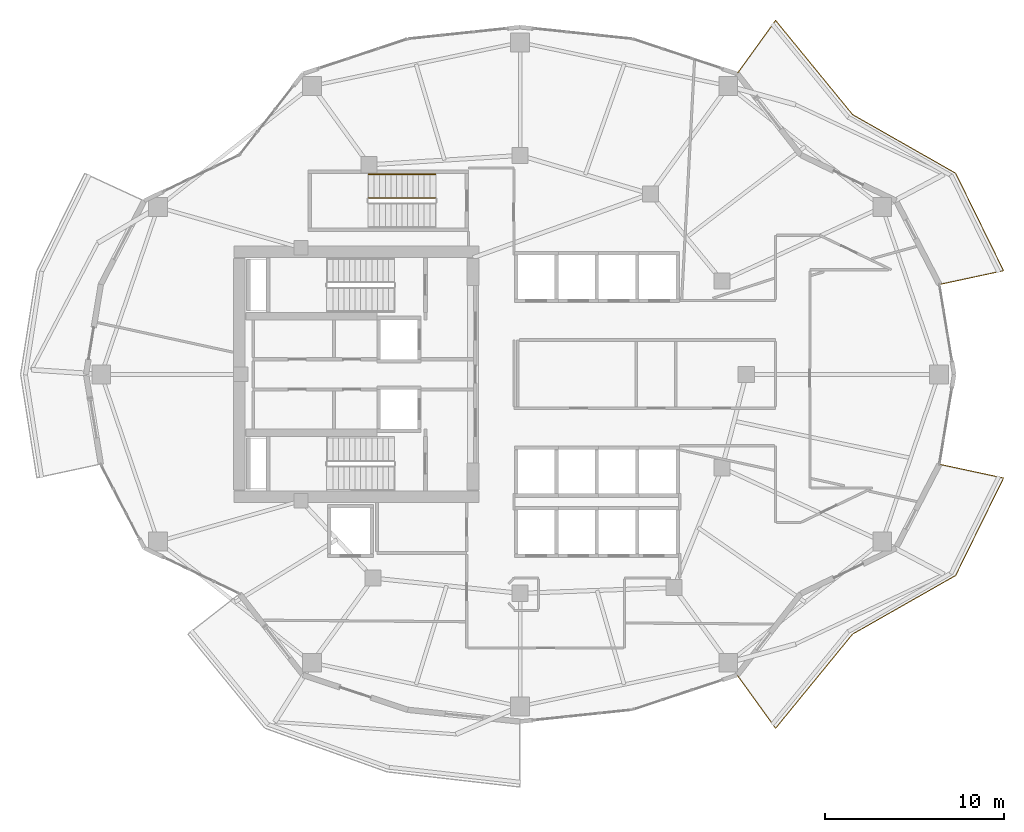
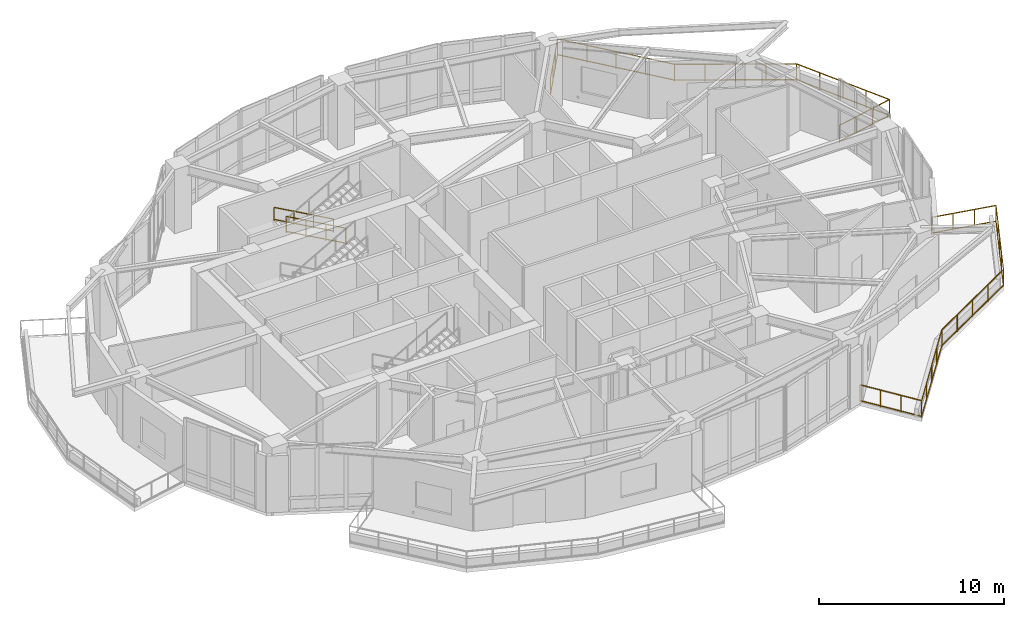
# One storey, part 15 of 16: 4 railings.
"""IFC4 building model written with IfcOpenShell, lengths in metres."""

import ifcopenshell
import ifcopenshell.guid

model = None  # the IFC model being written
_history = None  # IfcOwnerHistory: only IFC2X3 demands one
_inside = {}  # id of a spatial element -> (the spatial element, [elements in it])
_under = {}  # id of a project, library or spatial element -> (it, [spatial elements below it])
_declared = {}  # id of a project -> (the project, [libraries it declares])
_typed = {}  # id of a type object -> (the type object, [elements of that type])
_made_of = {}  # id of a material, layer set ... -> (it, [elements and type objects made of it])


def new_model(schema):
    """Start an empty IFC model of exactly this schema.

    Asked for "IFC4X3", IfcOpenShell would pick the latest addendum, in which some entities
    have other attributes; the version numbers below select the first issue.
    IFC2X3 requires an IfcOwnerHistory on every rooted entity: one is made here for all.
    """
    global model, _history
    if schema == "IFC4X3":
        model = ifcopenshell.file(schema_version=(4, 3, 0, 0))
    else:
        model = ifcopenshell.file(schema=schema)
    _inside.clear()
    _under.clear()
    _declared.clear()
    _typed.clear()
    _made_of.clear()
    _history = None
    if model.schema == "IFC2X3":
        org = make("IfcOrganization", Name="unknown")
        user = make(
            "IfcPersonAndOrganization",
            ThePerson=make("IfcPerson", FamilyName="unknown"),
            TheOrganization=org,
        )
        app = make(
            "IfcApplication",
            ApplicationDeveloper=org,
            Version="unknown",
            ApplicationFullName="unknown",
            ApplicationIdentifier="unknown",
        )
        _history = make(
            "IfcOwnerHistory",
            OwningUser=user,
            OwningApplication=app,
            ChangeAction="ADDED",
            CreationDate=0,
        )
    return model


def make(cls, **values):
    """One entity of the class cls with the attributes given. An attribute that is None is left unset."""
    return model.create_entity(
        cls, **{name: value for name, value in values.items() if value is not None}
    )


def rooted(cls, **values):
    """An entity with a GlobalId (a new one), such as an element, a storey or a relation."""
    return make(cls, GlobalId=ifcopenshell.guid.new(), OwnerHistory=_history, **values)


def si_unit(unit_type, name, prefix=None):
    """IfcSIUnit, for example si_unit("LENGTHUNIT", "METRE", prefix="MILLI")."""
    return make("IfcSIUnit", UnitType=unit_type, Prefix=prefix, Name=name)


def assignment(units):
    """IfcUnitAssignment: the units of a project."""
    return None if units is None else make("IfcUnitAssignment", Units=units)


def point(xyz):
    """IfcCartesianPoint."""
    return None if xyz is None else make("IfcCartesianPoint", Coordinates=xyz)


def direction(xyz):
    """IfcDirection."""
    return None if xyz is None else make("IfcDirection", DirectionRatios=xyz)


def frame(location, z_axis=None, x_axis=None):
    """IfcAxis2Placement3D, a coordinate frame: its origin and axes. An axis left out is left unset."""
    return make(
        "IfcAxis2Placement3D",
        Location=point(location),
        Axis=direction(z_axis),
        RefDirection=direction(x_axis),
    )


def frame_2d(location, x_axis=None):
    """IfcAxis2Placement2D, a coordinate frame in the plane: its origin and x axis."""
    return make(
        "IfcAxis2Placement2D", Location=point(location), RefDirection=direction(x_axis)
    )


def origin():
    """The frame at (0, 0, 0) with its axes left unset."""
    return frame((0.0, 0.0, 0.0))


def origin_2d():
    """The frame at (0, 0) in the plane with its x axis left unset."""
    return frame_2d((0.0, 0.0))


def place(relative_to, where):
    """IfcLocalPlacement: puts the frame where relative to a parent placement (None: the world)."""
    return make(
        "IfcLocalPlacement", PlacementRelTo=relative_to, RelativePlacement=where
    )


def context(
    kind, dimensions, precision=None, world=None, true_north=None, identifier=None
):
    """IfcGeometricRepresentationContext, for example the 3D "Model" context."""
    return make(
        "IfcGeometricRepresentationContext",
        ContextIdentifier=identifier,
        ContextType=kind,
        CoordinateSpaceDimension=dimensions,
        Precision=precision,
        WorldCoordinateSystem=world,
        TrueNorth=true_north,
    )


def subcontext(parent, identifier, kind, view, scale=None):
    """IfcGeometricRepresentationSubContext, for example "Body" below "Model"."""
    return make(
        "IfcGeometricRepresentationSubContext",
        ContextIdentifier=identifier,
        ContextType=kind,
        ParentContext=parent,
        TargetScale=scale,
        TargetView=view,
    )


def project(units=None, contexts=None):
    """IfcProject with its units and contexts."""
    return rooted(
        "IfcProject",
        Name="project",
        RepresentationContexts=contexts,
        UnitsInContext=assignment(units),
    )


def spatial(cls, under=None, at=None, **own):
    """A site, building, storey or space (cls), placed at a placement, below another one or the project."""
    s = rooted(cls, ObjectPlacement=at, **own)
    if under is not None:
        _under.setdefault(under.id(), (under, []))[1].append(s)
    return s


def profile(cls, at=None, kind="AREA", **sizes):
    """A parametric profile (cls). Its sizes go by their IFC names, for example OverallWidth=200.0."""
    return make(cls, ProfileType=kind, Position=at, **sizes)


def rectangle(**sizes):
    """IfcRectangleProfileDef."""
    return profile("IfcRectangleProfileDef", **sizes)


def extrude(swept, where, along, depth):
    """IfcExtrudedAreaSolid: the profile swept, set in the frame where, extruded along a direction by depth."""
    return make(
        "IfcExtrudedAreaSolid",
        SweptArea=swept,
        Position=where,
        ExtrudedDirection=direction(along),
        Depth=depth,
    )


def shape(context_of_items, identifier, shape_type, items):
    """IfcShapeRepresentation: the items that make up one representation, for example the "Body"."""
    return make(
        "IfcShapeRepresentation",
        ContextOfItems=context_of_items,
        RepresentationIdentifier=identifier,
        RepresentationType=shape_type,
        Items=items,
    )


def material(Name=None, Category=None):
    """IfcMaterial."""
    return make("IfcMaterial", Name=Name, Category=Category)


def made_of(thing, what):
    """Note that an element or type object is made of a material, layer set ...; save() writes the relation."""
    if what is not None:
        _made_of.setdefault(what.id(), (what, []))[1].append(thing)
    return thing


def type_object(cls, material=None, **own):
    """A type object (cls), such as IfcWallType, which elements share."""
    return made_of(rooted(cls, **own), material)


def element(
    cls,
    number,
    at=None,
    inside=None,
    cuts=None,
    type_object=None,
    material=None,
    context=None,
    identifier="Body",
    shape_type=None,
    held_by="IfcProductDefinitionShape",
    body=None,
    shapes=None,
    **own,
):
    """One element of the class cls, such as IfcWall. Its Tag is "e" and its number.

    at: its placement. inside: the storey or other place that contains it. cuts: it is an
    opening in that element (IfcRelVoidsElement). A single representation is given by context,
    identifier, shape_type and body (its items); several are given by shapes. held_by: the class
    of the entity that holds the representations. save() writes the other relations.
    """
    e = rooted(cls, Tag="e%d" % number, ObjectPlacement=at, **own)
    if body is not None:
        shapes = [shape(context, identifier, shape_type, body)]
    if shapes is not None:
        e.Representation = make(held_by, Representations=shapes)
    if inside is not None:
        _inside.setdefault(inside.id(), (inside, []))[1].append(e)
    if cuts is not None:
        rooted(
            "IfcRelVoidsElement", RelatingBuildingElement=cuts, RelatedOpeningElement=e
        )
    if type_object is not None:
        _typed.setdefault(type_object.id(), (type_object, []))[1].append(e)
    return made_of(e, material)


def aggregate(whole, parts):
    """IfcRelAggregates: a whole, such as a stair, and the parts it consists of."""
    return rooted("IfcRelAggregates", RelatingObject=whole, RelatedObjects=parts)


def save(model, path):
    """Write the relations noted so far, then the file.

    IfcRelAggregates (storeys below a building ...), IfcRelContainedInSpatialStructure (elements
    in a storey), IfcRelDefinesByType, IfcRelAssociatesMaterial and IfcRelDeclares: one each for
    every whole, place, type object, material and project.
    """
    for whole, parts in _under.values():
        aggregate(whole, parts)
    for where, things in _inside.values():
        rooted(
            "IfcRelContainedInSpatialStructure",
            RelatedElements=things,
            RelatingStructure=where,
        )
    for kind, things in _typed.values():
        rooted("IfcRelDefinesByType", RelatedObjects=things, RelatingType=kind)
    for what, things in _made_of.values():
        rooted("IfcRelAssociatesMaterial", RelatedObjects=things, RelatingMaterial=what)
    for by, libraries in _declared.values():
        rooted("IfcRelDeclares", RelatingContext=by, RelatedDefinitions=libraries)
    model.write(path)


model = new_model("IFC4")

# Units and contexts
model_context = context("Model", 3, precision=1e-05, world=origin(), true_north=direction((0.0, 1.0)))
body_context = subcontext(model_context, "Body", "Model", "MODEL_VIEW")
ifc_project = project(units=[si_unit("LENGTHUNIT", "METRE"), si_unit("AREAUNIT", "SQUARE_METRE"), si_unit("VOLUMEUNIT", "CUBIC_METRE"), si_unit("PLANEANGLEUNIT", "RADIAN"), si_unit("MASSUNIT", "GRAM", prefix="KILO")], contexts=[model_context])

# Site, building, storey
site_placement = place(None, origin())
site = spatial("IfcSite", under=ifc_project, at=site_placement, CompositionType="ELEMENT")
building_placement = place(site_placement, origin())
building = spatial("IfcBuilding", under=site, at=building_placement, Name="Kolvaren Gate Tower and Convention Centre", CompositionType="ELEMENT")
storey_placement = place(building_placement, frame((0.0, 0.0, 100.800048828125)))
storey = spatial("IfcBuildingStorey", under=building, at=storey_placement, Name="L24", CompositionType="ELEMENT", Elevation=100.800048828125)

# Railings
ifc_material = material(Name="Brushed Stainless Steel Grade 316L", Category="steel")
railing_type_1 = type_object("IfcRailingType", Name="ARCH-RL-GUARD-1150", PredefinedType="GUARDRAIL", material=ifc_material)
railing_1_placement = place(storey_placement, frame((25.39990234375, 36.830078125, 0.173095703125)))
element("IfcRailing", 1, at=railing_1_placement, inside=storey, type_object=railing_type_1, Name="L24 ST-T3 stair guard 1", PredefinedType="GUARDRAIL", context=body_context, shape_type="SweptSolid", body=[
    extrude(rectangle(XDim=0.048095703125, YDim=0.048095703125, at=origin_2d()), frame((0.0, 0.0, 1.076171875), z_axis=(-0.873133609054, 0.0, 0.487480974747), x_axis=(0.0, -1.0, 0.0)), (0.0, 0.0, 1.0), 4.260498046875),
    extrude(rectangle(XDim=0.048095703125, YDim=0.048095703125, at=origin_2d()), frame((0.0, 0.0, 0.083984375), z_axis=(-0.873133609054, 0.0, 0.487480974747), x_axis=(0.0, -1.0, 0.0)), (0.0, 0.0, 1.0), 4.260498046875),
    extrude(rectangle(XDim=0.0419921875, YDim=0.0419921875, at=origin_2d()), origin(), (0.0, 0.0, 1.0), 1.050048828125),
    extrude(rectangle(XDim=0.0419921875, YDim=0.0419921875, at=origin_2d()), frame((-3.719970703125, 0.0, 2.076904296875)), (0.0, 0.0, 1.0), 1.050048828125),
    extrude(rectangle(XDim=0.0419921875, YDim=0.0419921875, at=origin_2d()), frame((-1.239990234375, 0.0, 0.6923828125)), (0.0, 0.0, 1.0), 1.050048828125),
    extrude(rectangle(XDim=0.0419921875, YDim=0.0419921875, at=origin_2d()), frame((-2.47998046875, 0.0, 1.384521484375)), (0.0, 0.0, 1.0), 1.050048828125),
])
railing_2_placement = place(storey_placement, frame((53.48828125, 32.008056640625, 0.0)))
element("IfcRailing", 2, at=railing_2_placement, inside=storey, type_object=railing_type_1, Name="Tower L24 Terrace Perimeter Guardrail GR-1", PredefinedType="GUARDRAIL", context=body_context, shape_type="SweptSolid", body=[
    extrude(rectangle(XDim=0.048095703125, YDim=0.048095703125, at=origin_2d()), frame((0.02734375, 0.005859375, 1.1259765625), z_axis=(0.977788745232, 0.209592866525, 0.0), x_axis=(-0.209592866525, 0.977788745232, 0.0)), (0.0, 0.0, 1.0), 3.603759765625),
    extrude(rectangle(XDim=0.048095703125, YDim=0.048095703125, at=origin_2d()), frame((0.02734375, 0.005859375, 0.083984375), z_axis=(0.977788745232, 0.209592866525, 0.0), x_axis=(-0.209592866525, 0.977788745232, 0.0)), (0.0, 0.0, 1.0), 3.603759765625),
    extrude(rectangle(XDim=0.048095703125, YDim=0.048095703125, at=origin_2d()), frame((3.566162109375, 0.792236328125, 1.1259765625), z_axis=(-0.441237167293, 0.897390529368, 0.0), x_axis=(-0.897390529368, -0.441237167293, 0.0)), (0.0, 0.0, 1.0), 5.999755859375),
    extrude(rectangle(XDim=0.048095703125, YDim=0.048095703125, at=origin_2d()), frame((3.566162109375, 0.792236328125, 0.083984375), z_axis=(-0.441237167293, 0.897390529368, 0.0), x_axis=(-0.897390529368, -0.441237167293, 0.0)), (0.0, 0.0, 1.0), 5.999755859375),
    extrude(rectangle(XDim=0.048095703125, YDim=0.048095703125, at=origin_2d()), frame((0.882080078125, 6.215576171875, 1.1259765625), z_axis=(-0.869196694318, 0.494466486819, 0.0), x_axis=(-0.494466486819, -0.869196694318, 0.0)), (0.0, 0.0, 1.0), 6.55029296875),
    extrude(rectangle(XDim=0.048095703125, YDim=0.048095703125, at=origin_2d()), frame((0.882080078125, 6.215576171875, 0.083984375), z_axis=(-0.869196694318, 0.494466486819, 0.0), x_axis=(-0.494466486819, -0.869196694318, 0.0)), (0.0, 0.0, 1.0), 6.55029296875),
    extrude(rectangle(XDim=0.048095703125, YDim=0.048095703125, at=origin_2d()), frame((-4.853515625, 9.489990234375, 1.1259765625), z_axis=(-0.633002467947, 0.77414977593, 0.0), x_axis=(-0.77414977593, -0.633002467947, 0.0)), (0.0, 0.0, 1.0), 6.724365234375),
    extrude(rectangle(XDim=0.048095703125, YDim=0.048095703125, at=origin_2d()), frame((-4.853515625, 9.489990234375, 0.083984375), z_axis=(-0.633002467947, 0.77414977593, 0.0), x_axis=(-0.77414977593, -0.633002467947, 0.0)), (0.0, 0.0, 1.0), 6.724365234375),
    extrude(rectangle(XDim=0.048095703125, YDim=0.048095703125, at=origin_2d()), frame((-9.14404296875, 14.694580078125, 1.1259765625), z_axis=(-0.585212870465, -0.810879705161, 0.0), x_axis=(0.810879705161, -0.585212870465, 0.0)), (0.0, 0.0, 1.0), 3.603759765625),
    extrude(rectangle(XDim=0.048095703125, YDim=0.048095703125, at=origin_2d()), frame((-9.14404296875, 14.694580078125, 0.083984375), z_axis=(-0.585212870465, -0.810879705161, 0.0), x_axis=(0.810879705161, -0.585212870465, 0.0)), (0.0, 0.0, 1.0), 3.603759765625),
    extrude(rectangle(XDim=0.0419921875, YDim=0.0419921875, at=origin_2d()), origin(), (0.0, 0.0, 1.0), 1.14990234375),
    extrude(rectangle(XDim=0.0419921875, YDim=0.0419921875, at=origin_2d()), frame((3.57861328125, 0.76708984375, 0.0)), (0.0, 0.0, 1.0), 1.14990234375),
    extrude(rectangle(XDim=0.0419921875, YDim=0.0419921875, at=origin_2d()), frame((1.19287109375, 0.255615234375, 0.0)), (0.0, 0.0, 1.0), 1.099853515625),
    extrude(rectangle(XDim=0.0419921875, YDim=0.0419921875, at=origin_2d()), frame((2.3857421875, 0.511474609375, 0.0)), (0.0, 0.0, 1.0), 1.099853515625),
    extrude(rectangle(XDim=0.0419921875, YDim=0.0419921875, at=origin_2d()), frame((0.906494140625, 6.20166015625, 0.0)), (0.0, 0.0, 1.0), 1.14990234375),
    extrude(rectangle(XDim=0.0419921875, YDim=0.0419921875, at=origin_2d()), frame((2.91064453125, 2.125732421875, 0.0)), (0.0, 0.0, 1.0), 1.099853515625),
    extrude(rectangle(XDim=0.0419921875, YDim=0.0419921875, at=origin_2d()), frame((2.24267578125, 3.484375, 0.0)), (0.0, 0.0, 1.0), 1.099853515625),
    extrude(rectangle(XDim=0.0419921875, YDim=0.0419921875, at=origin_2d()), frame((1.574462890625, 4.843017578125, 0.0)), (0.0, 0.0, 1.0), 1.099853515625),
    extrude(rectangle(XDim=0.0419921875, YDim=0.0419921875, at=origin_2d()), frame((-4.835693359375, 9.46826171875, 0.0)), (0.0, 0.0, 1.0), 1.14990234375),
    extrude(rectangle(XDim=0.0419921875, YDim=0.0419921875, at=origin_2d()), frame((-0.529052734375, 7.018310546875, 0.0)), (0.0, 0.0, 1.0), 1.099853515625),
    extrude(rectangle(XDim=0.0419921875, YDim=0.0419921875, at=origin_2d()), frame((-1.964599609375, 7.8349609375, 0.0)), (0.0, 0.0, 1.0), 1.099853515625),
    extrude(rectangle(XDim=0.0419921875, YDim=0.0419921875, at=origin_2d()), frame((-3.400146484375, 8.651611328125, 0.0)), (0.0, 0.0, 1.0), 1.099853515625),
    extrude(rectangle(XDim=0.0419921875, YDim=0.0419921875, at=origin_2d()), frame((-9.127685546875, 14.71728515625, 0.0)), (0.0, 0.0, 1.0), 1.14990234375),
    extrude(rectangle(XDim=0.0419921875, YDim=0.0419921875, at=origin_2d()), frame((-5.90869140625, 10.780517578125, 0.0)), (0.0, 0.0, 1.0), 1.099853515625),
    extrude(rectangle(XDim=0.0419921875, YDim=0.0419921875, at=origin_2d()), frame((-6.981689453125, 12.0927734375, 0.0)), (0.0, 0.0, 1.0), 1.099853515625),
    extrude(rectangle(XDim=0.0419921875, YDim=0.0419921875, at=origin_2d()), frame((-8.0546875, 13.405029296875, 0.0)), (0.0, 0.0, 1.0), 1.099853515625),
    extrude(rectangle(XDim=0.0419921875, YDim=0.0419921875, at=origin_2d()), frame((-11.26953125, 11.74951171875, 0.0)), (0.0, 0.0, 1.0), 1.14990234375),
    extrude(rectangle(XDim=0.0419921875, YDim=0.0419921875, at=origin_2d()), frame((-9.841552734375, 13.72802734375, 0.0)), (0.0, 0.0, 1.0), 1.099853515625),
    extrude(rectangle(XDim=0.0419921875, YDim=0.0419921875, at=origin_2d()), frame((-10.5556640625, 12.73876953125, 0.0)), (0.0, 0.0, 1.0), 1.099853515625),
])
railing_3_placement = place(storey_placement, frame((42.21875, 10.242431640625, 0.0)))
element("IfcRailing", 3, at=railing_3_placement, inside=storey, type_object=railing_type_1, Name="Tower L24 Terrace Perimeter Guardrail GR-4", PredefinedType="GUARDRAIL", context=body_context, shape_type="SweptSolid", body=[
    extrude(rectangle(XDim=0.048095703125, YDim=0.048095703125, at=origin_2d()), frame((0.016357421875, -0.022705078125, 1.1259765625), z_axis=(0.585212870465, -0.810879705161, 0.0), x_axis=(0.810879705161, 0.585212870465, 0.0)), (0.0, 0.0, 1.0), 3.603759765625),
    extrude(rectangle(XDim=0.048095703125, YDim=0.048095703125, at=origin_2d()), frame((0.016357421875, -0.022705078125, 0.083984375), z_axis=(0.585212870465, -0.810879705161, 0.0), x_axis=(0.810879705161, 0.585212870465, 0.0)), (0.0, 0.0, 1.0), 3.603759765625),
    extrude(rectangle(XDim=0.048095703125, YDim=0.048095703125, at=origin_2d()), frame((2.15966796875, -2.946044921875, 1.1259765625), z_axis=(0.633002467947, 0.77414977593, 0.0), x_axis=(-0.77414977593, 0.633002467947, 0.0)), (0.0, 0.0, 1.0), 6.724365234375),
    extrude(rectangle(XDim=0.048095703125, YDim=0.048095703125, at=origin_2d()), frame((2.15966796875, -2.946044921875, 0.083984375), z_axis=(0.633002467947, 0.77414977593, 0.0), x_axis=(-0.77414977593, 0.633002467947, 0.0)), (0.0, 0.0, 1.0), 6.724365234375),
    extrude(rectangle(XDim=0.048095703125, YDim=0.048095703125, at=origin_2d()), frame((6.458251953125, 2.295166015625, 1.1259765625), z_axis=(0.869196694318, 0.494466486819, 0.0), x_axis=(-0.494466486819, 0.869196694318, 0.0)), (0.0, 0.0, 1.0), 6.55029296875),
    extrude(rectangle(XDim=0.048095703125, YDim=0.048095703125, at=origin_2d()), frame((6.458251953125, 2.295166015625, 0.083984375), z_axis=(0.869196694318, 0.494466486819, 0.0), x_axis=(-0.494466486819, 0.869196694318, 0.0)), (0.0, 0.0, 1.0), 6.55029296875),
    extrude(rectangle(XDim=0.048095703125, YDim=0.048095703125, at=origin_2d()), frame((12.1884765625, 5.572998046875, 1.1259765625), z_axis=(0.441237167293, 0.897390529368, 0.0), x_axis=(-0.897390529368, 0.441237167293, 0.0)), (0.0, 0.0, 1.0), 5.999755859375),
    extrude(rectangle(XDim=0.048095703125, YDim=0.048095703125, at=origin_2d()), frame((12.1884765625, 5.572998046875, 0.083984375), z_axis=(0.441237167293, 0.897390529368, 0.0), x_axis=(-0.897390529368, 0.441237167293, 0.0)), (0.0, 0.0, 1.0), 5.999755859375),
    extrude(rectangle(XDim=0.048095703125, YDim=0.048095703125, at=origin_2d()), frame((14.82080078125, 10.98828125, 1.1259765625), z_axis=(-0.977788745232, 0.209592866525, 0.0), x_axis=(-0.209592866525, -0.977788745232, 0.0)), (0.0, 0.0, 1.0), 3.603759765625),
    extrude(rectangle(XDim=0.048095703125, YDim=0.048095703125, at=origin_2d()), frame((14.82080078125, 10.98828125, 0.083984375), z_axis=(-0.977788745232, 0.209592866525, 0.0), x_axis=(-0.209592866525, -0.977788745232, 0.0)), (0.0, 0.0, 1.0), 3.603759765625),
    extrude(rectangle(XDim=0.0419921875, YDim=0.0419921875, at=origin_2d()), origin(), (0.0, 0.0, 1.0), 1.14990234375),
    extrude(rectangle(XDim=0.0419921875, YDim=0.0419921875, at=origin_2d()), frame((2.141845703125, -2.9677734375, 0.0)), (0.0, 0.0, 1.0), 1.14990234375),
    extrude(rectangle(XDim=0.0419921875, YDim=0.0419921875, at=origin_2d()), frame((0.7138671875, -0.9892578125, 0.0)), (0.0, 0.0, 1.0), 1.099853515625),
    extrude(rectangle(XDim=0.0419921875, YDim=0.0419921875, at=origin_2d()), frame((1.427978515625, -1.978515625, 0.0)), (0.0, 0.0, 1.0), 1.099853515625),
    extrude(rectangle(XDim=0.0419921875, YDim=0.0419921875, at=origin_2d()), frame((6.433837890625, 2.28125, 0.0)), (0.0, 0.0, 1.0), 1.14990234375),
    extrude(rectangle(XDim=0.0419921875, YDim=0.0419921875, at=origin_2d()), frame((3.21484375, -1.655517578125, 0.0)), (0.0, 0.0, 1.0), 1.099853515625),
    extrude(rectangle(XDim=0.0419921875, YDim=0.0419921875, at=origin_2d()), frame((4.287841796875, -0.34326171875, 0.0)), (0.0, 0.0, 1.0), 1.099853515625),
    extrude(rectangle(XDim=0.0419921875, YDim=0.0419921875, at=origin_2d()), frame((5.36083984375, 0.968994140625, 0.0)), (0.0, 0.0, 1.0), 1.099853515625),
    extrude(rectangle(XDim=0.0419921875, YDim=0.0419921875, at=origin_2d()), frame((12.176025390625, 5.5478515625, 0.0)), (0.0, 0.0, 1.0), 1.14990234375),
    extrude(rectangle(XDim=0.0419921875, YDim=0.0419921875, at=origin_2d()), frame((7.869384765625, 3.097900390625, 0.0)), (0.0, 0.0, 1.0), 1.099853515625),
    extrude(rectangle(XDim=0.0419921875, YDim=0.0419921875, at=origin_2d()), frame((9.304931640625, 3.91455078125, 0.0)), (0.0, 0.0, 1.0), 1.099853515625),
    extrude(rectangle(XDim=0.0419921875, YDim=0.0419921875, at=origin_2d()), frame((10.740478515625, 4.731201171875, 0.0)), (0.0, 0.0, 1.0), 1.099853515625),
    extrude(rectangle(XDim=0.0419921875, YDim=0.0419921875, at=origin_2d()), frame((14.84814453125, 10.982421875, 0.0)), (0.0, 0.0, 1.0), 1.14990234375),
    extrude(rectangle(XDim=0.0419921875, YDim=0.0419921875, at=origin_2d()), frame((12.843994140625, 6.906494140625, 0.0)), (0.0, 0.0, 1.0), 1.099853515625),
    extrude(rectangle(XDim=0.0419921875, YDim=0.0419921875, at=origin_2d()), frame((13.51220703125, 8.26513671875, 0.0)), (0.0, 0.0, 1.0), 1.099853515625),
    extrude(rectangle(XDim=0.0419921875, YDim=0.0419921875, at=origin_2d()), frame((14.18017578125, 9.623779296875, 0.0)), (0.0, 0.0, 1.0), 1.099853515625),
    extrude(rectangle(XDim=0.0419921875, YDim=0.0419921875, at=origin_2d()), frame((11.26953125, 11.74951171875, 0.0)), (0.0, 0.0, 1.0), 1.14990234375),
    extrude(rectangle(XDim=0.0419921875, YDim=0.0419921875, at=origin_2d()), frame((13.6552734375, 11.238037109375, 0.0)), (0.0, 0.0, 1.0), 1.099853515625),
    extrude(rectangle(XDim=0.0419921875, YDim=0.0419921875, at=origin_2d()), frame((12.46240234375, 11.493896484375, 0.0)), (0.0, 0.0, 1.0), 1.099853515625),
])
railing_type_2 = type_object("IfcRailingType", Name="ARCH-RL-HANDRAIL-920", PredefinedType="HANDRAIL", material=ifc_material)
railing_4_placement = place(storey_placement, frame((25.39990234375, 38.14990234375, 0.173095703125)))
element("IfcRailing", 4, at=railing_4_placement, inside=storey, type_object=railing_type_2, Name="L24 ST-T3 stair handrail 1", PredefinedType="HANDRAIL", context=body_context, shape_type="SweptSolid", body=[
    extrude(rectangle(XDim=0.048095703125, YDim=0.048095703125, at=origin_2d()), frame((0.0, 0.0, 0.8759765625), z_axis=(-0.873133609054, 0.0, 0.487480974747), x_axis=(0.0, -1.0, 0.0)), (0.0, 0.0, 1.0), 4.260498046875),
    extrude(rectangle(XDim=0.048095703125, YDim=0.048095703125, at=origin_2d()), frame((0.0, 0.0, 0.083984375), z_axis=(-0.873133609054, 0.0, 0.487480974747), x_axis=(0.0, -1.0, 0.0)), (0.0, 0.0, 1.0), 4.260498046875),
    extrude(rectangle(XDim=0.0419921875, YDim=0.0419921875, at=origin_2d()), origin(), (0.0, 0.0, 1.0), 0.849853515625),
    extrude(rectangle(XDim=0.0419921875, YDim=0.0419921875, at=origin_2d()), frame((-3.719970703125, 0.0, 2.076904296875)), (0.0, 0.0, 1.0), 0.849853515625),
    extrude(rectangle(XDim=0.0419921875, YDim=0.0419921875, at=origin_2d()), frame((-1.239990234375, 0.0, 0.6923828125)), (0.0, 0.0, 1.0), 0.849853515625),
    extrude(rectangle(XDim=0.0419921875, YDim=0.0419921875, at=origin_2d()), frame((-2.47998046875, 0.0, 1.384521484375)), (0.0, 0.0, 1.0), 0.849853515625),
])

save(model, "model.ifc")
